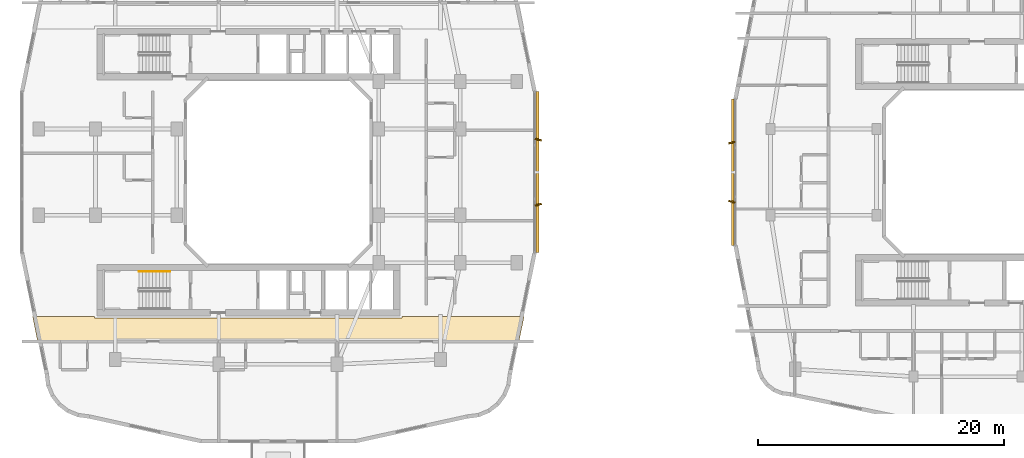
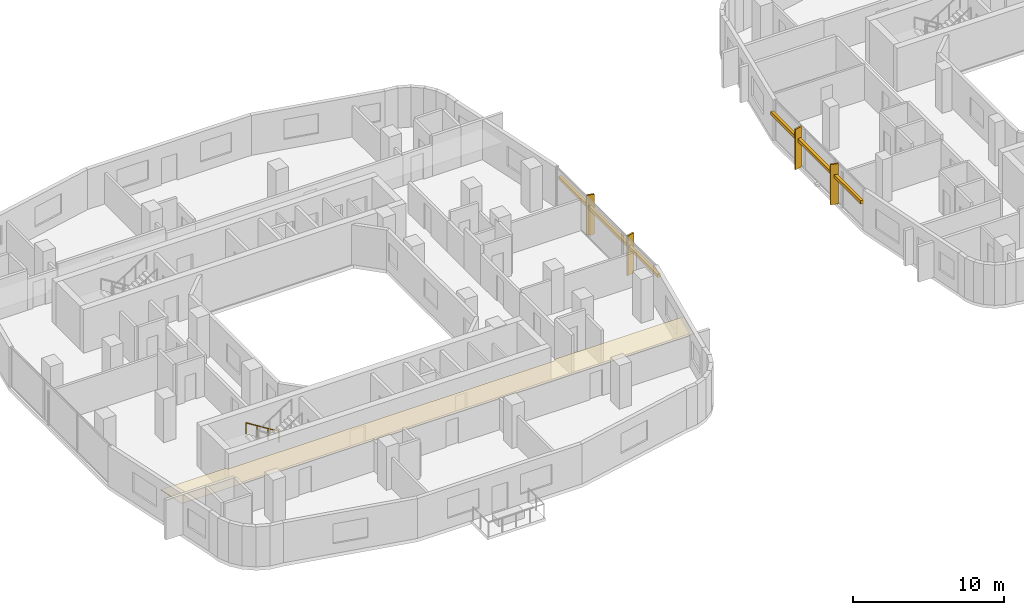
# One storey, part 19 of 22: 6 shading devices, 1 covering, 1 railing.
"""IFC4 building model written with IfcOpenShell, lengths in metres."""

from ifc_helpers import new_model, si_unit, derived_unit, direction, frame, origin, origin_2d, place, context, subcontext, project, spatial, polyline, rectangle, circle, outline, extrude, material, layer, layer_set, type_object, element, save


model = new_model("IFC4")

# Units and contexts
model_context = context("Model", 3, precision=1e-05, world=origin(), true_north=direction((0.0, 1.0)))
body_context = subcontext(model_context, "Body", "Model", "MODEL_VIEW")
ifc_project = project(units=[si_unit("LENGTHUNIT", "METRE"), si_unit("AREAUNIT", "SQUARE_METRE"), si_unit("VOLUMEUNIT", "CUBIC_METRE"), si_unit("PLANEANGLEUNIT", "RADIAN"), si_unit("MASSUNIT", "GRAM", prefix="KILO"), derived_unit("THERMALTRANSMITTANCEUNIT", [(si_unit("POWERUNIT", "WATT"), 1), (si_unit("LENGTHUNIT", "METRE"), -2), (si_unit("THERMODYNAMICTEMPERATUREUNIT", "KELVIN"), -1)])], contexts=[model_context])

# Site, building, storey
site_placement = place(None, origin())
site = spatial("IfcSite", under=ifc_project, at=site_placement, CompositionType="ELEMENT")
building_placement = place(site_placement, origin())
building = spatial("IfcBuilding", under=site, at=building_placement, Name="Kivonza Crest Hotel", CompositionType="ELEMENT")
storey_placement = place(building_placement, frame((0.0, 0.0, 69.5)))
storey = spatial("IfcBuildingStorey", under=building, at=storey_placement, Name="L18", CompositionType="ELEMENT", Elevation=69.5)

# Covering
ifc_material_1 = material(Name="Mineral-fibre acoustic ceiling tile", Category="gypsum")
ifc_layer = layer(ifc_material_1, 0.02490234375)
ifc_layer_set = layer_set([ifc_layer], Name="Mineral-fibre acoustic ceiling tile")
covering_type = type_object("IfcCoveringType", Name="CV-CEIL-ACOU", PredefinedType="CEILING", material=ifc_layer_set)
covering_placement = place(storey_placement, frame((0.0, 0.0, 2.449951171875)))
element("IfcCovering", 1, at=covering_placement, inside=storey, type_object=covering_type, Name="L18 Hotel South Guest Corridor suspended ceiling", PredefinedType="CEILING", context=body_context, shape_type="SweptSolid", body=[
    extrude(outline(polyline([(40.573974609375, 11.2099609375), (40.998046875, 13.2900390625), (31.10009765625, 13.2900390625), (31.10009765625, 13.139892578125), (6.10009765625, 13.139892578125), (6.10009765625, 13.2900390625), (1.08203125, 13.2900390625), (1.506103515625, 11.2099609375), (40.573974609375, 11.2099609375)])), origin(), (0.0, 0.0, 1.0), 0.025146484375),
])

# Railing
ifc_material_2 = material(Name="Brushed stainless steel handrail", Category="steel")
railing_type = type_object("IfcRailingType", Name="RL-HAND-900", PredefinedType="HANDRAIL", material=ifc_material_2)
railing_placement = place(storey_placement, frame((12.239990234375, 16.949951171875, 0.175048828125)))
element("IfcRailing", 2, at=railing_placement, inside=storey, type_object=railing_type, Name="L18 ST-T1-S stair handrail 1", PredefinedType="HANDRAIL", context=body_context, shape_type="SweptSolid", body=[
    extrude(circle(Radius=0.02392578125, at=origin_2d()), frame((0.0, 0.0, 0.8759765625), z_axis=(-0.848007534815, 0.0, 0.529984170421), x_axis=(0.0, -1.0, 0.0)), (0.0, 0.0, 1.0), 2.9716796875),
    extrude(circle(Radius=0.02099609375, at=origin_2d()), origin(), (0.0, 0.0, 1.0), 0.851806640625),
    extrude(circle(Radius=0.02099609375, at=origin_2d()), frame((-0.840087890625, 0.0, 0.52490234375)), (0.0, 0.0, 1.0), 0.851806640625),
    extrude(circle(Radius=0.02099609375, at=origin_2d()), frame((-1.679931640625, 0.0, 1.050048828125)), (0.0, 0.0, 1.0), 0.851806640625),
    extrude(circle(Radius=0.02099609375, at=origin_2d()), frame((-2.52001953125, 0.0, 1.574951171875)), (0.0, 0.0, 1.0), 0.851806640625),
])

# Shading devices
ifc_material_3 = material(Name="Kiln-fired Nairobi red-ochre terracotta", Category="masonry")
shading_device_type_1 = type_object("IfcShadingDeviceType", Name="SH-BAGUETTE-300", PredefinedType="USERDEFINED", material=ifc_material_3)
shading_device_1_placement = place(storey_placement, frame((42.080078125, 25.0, 2.1240234375), z_axis=(0.0, 0.0, 1.0), x_axis=(0.0, 1.0, 0.0)))
element("IfcShadingDevice", 3, at=shading_device_1_placement, inside=storey, type_object=shading_device_type_1, Name="L18 terracotta baguette screen CW-T1-L18-17", ObjectType="BAGUETTE", PredefinedType="USERDEFINED", context=body_context, shape_type="SweptSolid", body=[
    extrude(rectangle(XDim=13.080078125, YDim=0.219970703125, at=origin_2d()), origin(), (0.0, 0.0, 1.0), 0.260009765625),
])
shading_device_2_placement = place(storey_placement, frame((57.919921875, 25.0, 2.14501953125), z_axis=(0.0, 0.0, 1.0), x_axis=(0.0, -1.0, 0.0)))
element("IfcShadingDevice", 4, at=shading_device_2_placement, inside=storey, type_object=shading_device_type_1, Name="L18 terracotta baguette screen CW-T2-L18-35", ObjectType="BAGUETTE", PredefinedType="USERDEFINED", context=body_context, shape_type="SweptSolid", body=[
    extrude(rectangle(XDim=11.8798828125, YDim=0.219970703125, at=origin_2d()), origin(), (0.0, 0.0, 1.0), 0.260009765625),
])
ifc_material_4 = material(Name="Kiln-fired terracotta over extruded aluminium spine", Category="masonry")
shading_device_type_2 = type_object("IfcShadingDeviceType", Name="SH-FIN-550", PredefinedType="USERDEFINED", material=ifc_material_4)
for number, where, z_axis, x_axis, name in (
    (5, (42.139892578125, 22.360107421875, 0.0), (0.0, 0.0, 1.0), (-0.2419218956, 0.970295726276, 0.0), "L18 vertical solar shading fin CW-T1-L18-17-1"),
    (6, (42.139892578125, 27.639892578125, 0.0), (0.0, 0.0, 1.0), (0.2419218956, 0.970295726276, 0.0), "L18 vertical solar shading fin CW-T1-L18-17-2"),
):
    element("IfcShadingDevice", number, at=place(storey_placement, frame(where, z_axis=z_axis, x_axis=x_axis)), inside=storey, type_object=shading_device_type_2, Name=name, ObjectType="FIN", PredefinedType="USERDEFINED", context=body_context, shape_type="SweptSolid", body=[
        extrude(rectangle(XDim=0.1201171875, YDim=0.550048828125, at=origin_2d()), origin(), (0.0, 0.0, 1.0), 3.219970703125),
    ])
for number, where, z_axis, x_axis, name in (
    (7, (57.860107421875, 27.39990234375, 0.0), (0.0, 0.0, 1.0), (0.2419218956, -0.970295726276, 0.0), "L18 vertical solar shading fin CW-T2-L18-35-1"),
    (8, (57.860107421875, 22.60009765625, 0.0), (0.0, 0.0, 1.0), (-0.2419218956, -0.970295726276, 0.0), "L18 vertical solar shading fin CW-T2-L18-35-2"),
):
    element("IfcShadingDevice", number, at=place(storey_placement, frame(where, z_axis=z_axis, x_axis=x_axis)), inside=storey, type_object=shading_device_type_2, Name=name, ObjectType="FIN", PredefinedType="USERDEFINED", context=body_context, shape_type="SweptSolid", body=[
        extrude(rectangle(XDim=0.1201171875, YDim=0.550048828125, at=origin_2d()), origin(), (0.0, 0.0, 1.0), 3.25),
    ])

save(model, "model.ifc")
